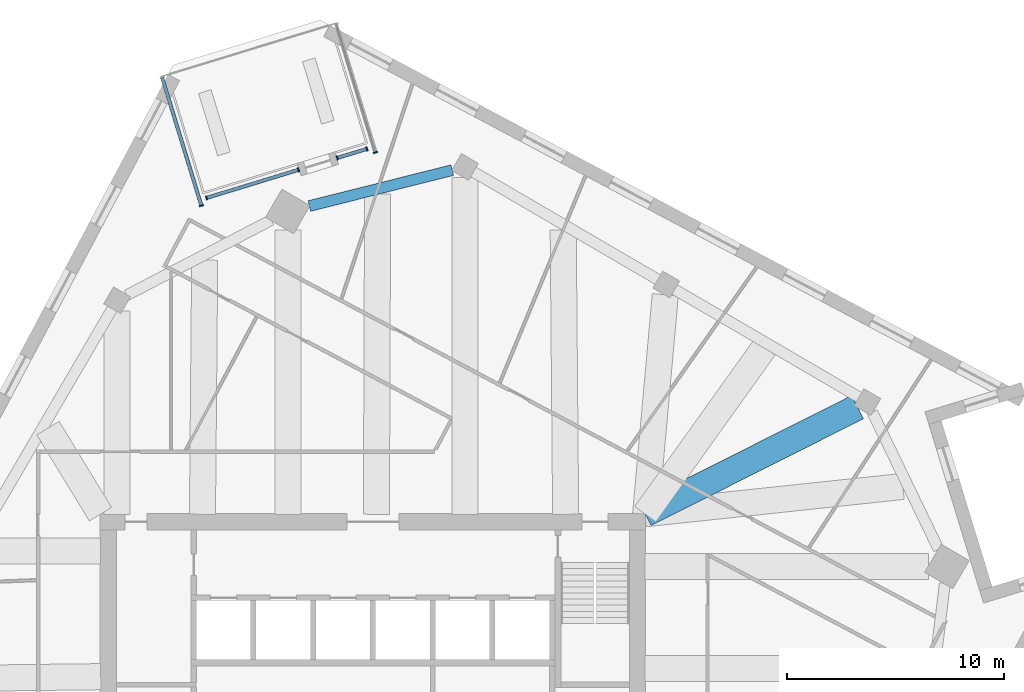
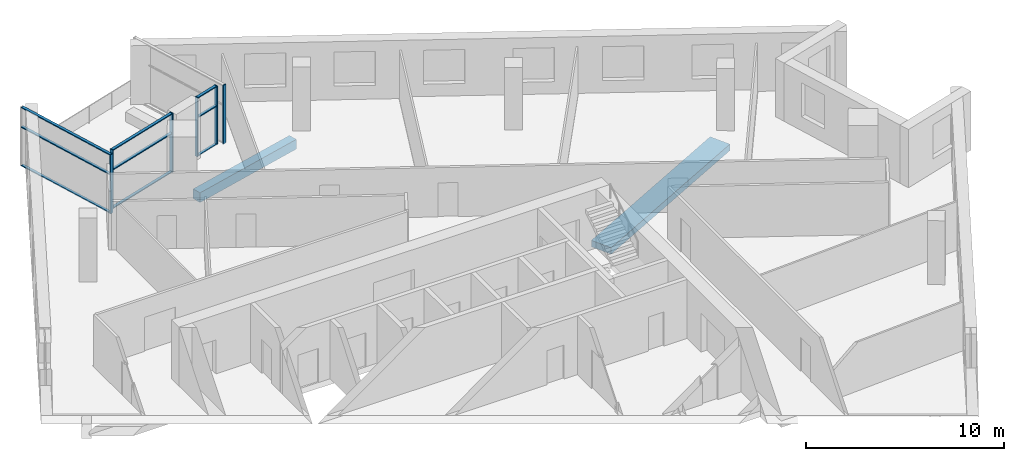
# One storey, part 2 of 13: 15 members, 2 beams, 4 elements without a shape of their own.
"""IFC4 building model written with IfcOpenShell, lengths in metres."""

from ifc_helpers import new_model, si_unit, direction, frame, origin, origin_2d, place, context, subcontext, project, spatial, rectangle, extrude, material, material_profile, profile_set, type_object, element, aggregate, save


model = new_model("IFC4")

# Units and contexts
model_context = context("Model", 3, precision=1e-05, world=origin(), true_north=direction((0.0, 1.0)))
body_context = subcontext(model_context, "Body", "Model", "MODEL_VIEW")
ifc_project = project(units=[si_unit("LENGTHUNIT", "METRE"), si_unit("AREAUNIT", "SQUARE_METRE"), si_unit("VOLUMEUNIT", "CUBIC_METRE"), si_unit("PLANEANGLEUNIT", "RADIAN"), si_unit("MASSUNIT", "GRAM", prefix="KILO")], contexts=[model_context])

# Site, building, storey
site_placement = place(None, origin())
site = spatial("IfcSite", under=ifc_project, at=site_placement, CompositionType="ELEMENT")
building_placement = place(site_placement, origin())
building = spatial("IfcBuilding", under=site, at=building_placement, Name="Dilmun Exchange Tower", CompositionType="ELEMENT")
storey_placement = place(building_placement, frame((0.0, 0.0, 278.89990234375)))
storey = spatial("IfcBuildingStorey", under=building, at=storey_placement, Name="L66", CompositionType="ELEMENT", Elevation=278.89990234375)

# Curtain wall, member
ifc_material_1 = material(Name="Anodised aluminium and clear glass", Category="aluminium")
curtain_wall_type = type_object("IfcCurtainWallType", Name="Garden corner glazing", PredefinedType="NOTDEFINED", material=ifc_material_1)
curtain_wall_1_placement = place(storey_placement, origin())
curtain_wall_1 = element("IfcCurtainWall", 1, at=curtain_wall_1_placement, inside=storey, type_object=curtain_wall_type, Name="Garden corner glazing run GC1.1", PredefinedType="NOTDEFINED")
ifc_material_2 = material(Name="Anodised aluminium", Category="aluminium")
ifc_material_profile_1 = material_profile(ifc_material_2, rectangle(XDim=0.199951171875, YDim=0.06005859375, at=origin_2d()), Name="AL 60x200")
ifc_profile_set_1 = profile_set([ifc_material_profile_1], Name="Anodised aluminium")
member_type_1 = type_object("IfcMemberType", Name="Garden corner glazing mullion 60 x 200", PredefinedType="MULLION", material=ifc_profile_set_1)
member_1_placement = place(storey_placement, frame((0.118896484375, 29.17578125, 0.0), z_axis=(0.0, 0.0, 1.0), x_axis=(0.956303960364, 0.292374306997, 0.0)))
member_1 = element("IfcMember", 2, at=member_1_placement, type_object=member_type_1, Name="GC1.1 mullion 2", PredefinedType="MULLION", context=body_context, shape_type="SweptSolid", body=[
    extrude(rectangle(XDim=0.199951171875, YDim=0.06005859375, at=origin_2d()), origin(), (0.0, 0.0, 1.0), 3.64013671875),
])
aggregate(curtain_wall_1, [member_1])

# Curtain wall, members
curtain_wall_2_placement = place(storey_placement, origin())
curtain_wall_2 = element("IfcCurtainWall", 3, at=curtain_wall_2_placement, inside=storey, type_object=curtain_wall_type, Name="Garden corner glazing run GC2.1", PredefinedType="NOTDEFINED")
member_2_placement = place(storey_placement, frame((-0.275634765625, 29.33740234375, 0.0), z_axis=(0.0, 0.0, 1.0), x_axis=(0.29239596952, -0.956297337133, 0.0)))
member_2 = element("IfcMember", 4, at=member_2_placement, type_object=member_type_1, Name="GC2.1 mullion 1", PredefinedType="MULLION", context=body_context, shape_type="SweptSolid", body=[
    extrude(rectangle(XDim=0.199951171875, YDim=0.06005859375, at=origin_2d()), origin(), (0.0, 0.0, 1.0), 3.64013671875),
])
member_3_placement = place(storey_placement, frame((-1.64208984375, 28.919677734375, 0.0), z_axis=(0.0, 0.0, 1.0), x_axis=(0.29239596952, -0.956297337133, 0.0)))
member_3 = element("IfcMember", 5, at=member_3_placement, type_object=member_type_1, Name="GC2.1 mullion 2", PredefinedType="MULLION", context=body_context, shape_type="SweptSolid", body=[
    extrude(rectangle(XDim=0.199951171875, YDim=0.06005859375, at=origin_2d()), origin(), (0.0, 0.0, 1.0), 3.64013671875),
])

curtain_wall_3_placement = place(storey_placement, origin())
curtain_wall_3 = element("IfcCurtainWall", 6, at=curtain_wall_3_placement, inside=storey, type_object=curtain_wall_type, Name="Garden corner glazing run GC2.3", PredefinedType="NOTDEFINED")
member_4_placement = place(storey_placement, frame((-3.4208984375, 28.375732421875, 0.0), z_axis=(0.0, 0.0, 1.0), x_axis=(0.292377563258, -0.956302964809, 0.0)))
member_4 = element("IfcMember", 7, at=member_4_placement, type_object=member_type_1, Name="GC2.3 mullion 1", PredefinedType="MULLION", context=body_context, shape_type="SweptSolid", body=[
    extrude(rectangle(XDim=0.199951171875, YDim=0.06005859375, at=origin_2d()), origin(), (0.0, 0.0, 1.0), 3.64013671875),
])
member_5_placement = place(storey_placement, frame((-7.656494140625, 27.080810546875, 0.0), z_axis=(0.0, 0.0, 1.0), x_axis=(0.292377563258, -0.956302964809, 0.0)))
member_5 = element("IfcMember", 8, at=member_5_placement, type_object=member_type_1, Name="GC2.3 mullion 2", PredefinedType="MULLION", context=body_context, shape_type="SweptSolid", body=[
    extrude(rectangle(XDim=0.199951171875, YDim=0.06005859375, at=origin_2d()), origin(), (0.0, 0.0, 1.0), 3.64013671875),
])

# Curtain wall, member
curtain_wall_4_placement = place(storey_placement, origin())
curtain_wall_4 = element("IfcCurtainWall", 9, at=curtain_wall_4_placement, inside=storey, type_object=curtain_wall_type, Name="Garden corner glazing run GC3.1", PredefinedType="NOTDEFINED")
member_6_placement = place(storey_placement, frame((-7.89306640625, 26.72607421875, 0.0), z_axis=(0.0, 0.0, 1.0), x_axis=(-0.956303960364, -0.292374306997, 0.0)))
member_6 = element("IfcMember", 10, at=member_6_placement, type_object=member_type_1, Name="GC3.1 mullion 1", PredefinedType="MULLION", context=body_context, shape_type="SweptSolid", body=[
    extrude(rectangle(XDim=0.199951171875, YDim=0.06005859375, at=origin_2d()), origin(), (0.0, 0.0, 1.0), 3.64013671875),
])

# Member
ifc_material_profile_2 = material_profile(ifc_material_2, rectangle(XDim=0.159912109375, YDim=0.06005859375, at=origin_2d()), Name="AL 60x160")
ifc_profile_set_2 = profile_set([ifc_material_profile_2], Name="Anodised aluminium")
member_type_2 = type_object("IfcMemberType", Name="Garden corner glazing transom 60 x 160", PredefinedType="USERDEFINED", material=ifc_profile_set_2)
member_7_placement = place(storey_placement, frame((-0.30419921875, 29.32861328125, 0.030029296875), z_axis=(-0.956286489319, -0.29243144555, 0.0), x_axis=(0.29243144555, -0.956286489319, 0.0)))
member_7 = element("IfcMember", 11, at=member_7_placement, type_object=member_type_2, Name="GC2.1 transom 1.1", ObjectType="TRANSOM", PredefinedType="USERDEFINED", context=body_context, shape_type="SweptSolid", body=[
    extrude(rectangle(XDim=0.159912109375, YDim=0.06005859375, at=origin_2d()), origin(), (0.0, 0.0, 1.0), 1.369140625),
])

member_8_placement = place(storey_placement, frame((-0.30419921875, 29.32861328125, 2.400146484375), z_axis=(-0.956286489319, -0.29243144555, 0.0), x_axis=(0.29243144555, -0.956286489319, 0.0)))
member_8 = element("IfcMember", 12, at=member_8_placement, type_object=member_type_2, Name="GC2.1 transom 1.2", ObjectType="TRANSOM", PredefinedType="USERDEFINED", context=body_context, shape_type="SweptSolid", body=[
    extrude(rectangle(XDim=0.159912109375, YDim=0.06005859375, at=origin_2d()), origin(), (0.0, 0.0, 1.0), 1.369140625),
])

member_9_placement = place(storey_placement, frame((-0.30419921875, 29.32861328125, 3.610107421875), z_axis=(-0.956286489319, -0.29243144555, 0.0), x_axis=(0.29243144555, -0.956286489319, 0.0)))
member_9 = element("IfcMember", 13, at=member_9_placement, type_object=member_type_2, Name="GC2.1 transom 1.3", ObjectType="TRANSOM", PredefinedType="USERDEFINED", context=body_context, shape_type="SweptSolid", body=[
    extrude(rectangle(XDim=0.159912109375, YDim=0.06005859375, at=origin_2d()), origin(), (0.0, 0.0, 1.0), 1.369140625),
])

aggregate(curtain_wall_2, [member_2, member_3, member_7, member_8, member_9])

member_10_placement = place(storey_placement, frame((-3.44970703125, 28.366943359375, 0.030029296875), z_axis=(-0.956309050487, -0.292357657599, 0.0), x_axis=(0.292357657599, -0.956309050487, 0.0)))
member_10 = element("IfcMember", 14, at=member_10_placement, type_object=member_type_2, Name="GC2.3 transom 1.1", ObjectType="TRANSOM", PredefinedType="USERDEFINED", context=body_context, shape_type="SweptSolid", body=[
    extrude(rectangle(XDim=0.159912109375, YDim=0.06005859375, at=origin_2d()), origin(), (0.0, 0.0, 1.0), 4.369140625),
])

member_11_placement = place(storey_placement, frame((-3.44970703125, 28.366943359375, 2.400146484375), z_axis=(-0.956309050487, -0.292357657599, 0.0), x_axis=(0.292357657599, -0.956309050487, 0.0)))
member_11 = element("IfcMember", 15, at=member_11_placement, type_object=member_type_2, Name="GC2.3 transom 1.2", ObjectType="TRANSOM", PredefinedType="USERDEFINED", context=body_context, shape_type="SweptSolid", body=[
    extrude(rectangle(XDim=0.159912109375, YDim=0.06005859375, at=origin_2d()), origin(), (0.0, 0.0, 1.0), 4.369140625),
])

member_12_placement = place(storey_placement, frame((-3.44970703125, 28.366943359375, 3.610107421875), z_axis=(-0.956309050487, -0.292357657599, 0.0), x_axis=(0.292357657599, -0.956309050487, 0.0)))
member_12 = element("IfcMember", 16, at=member_12_placement, type_object=member_type_2, Name="GC2.3 transom 1.3", ObjectType="TRANSOM", PredefinedType="USERDEFINED", context=body_context, shape_type="SweptSolid", body=[
    extrude(rectangle(XDim=0.159912109375, YDim=0.06005859375, at=origin_2d()), origin(), (0.0, 0.0, 1.0), 4.369140625),
])

aggregate(curtain_wall_3, [member_4, member_5, member_10, member_11, member_12])

member_13_placement = place(storey_placement, frame((-7.90185546875, 26.7548828125, 0.030029296875), z_axis=(-0.292385584046, 0.956300512518, 0.0), x_axis=(-0.956300512518, -0.292385584046, 0.0)))
member_13 = element("IfcMember", 17, at=member_13_placement, type_object=member_type_2, Name="GC3.1 transom 1.1", ObjectType="TRANSOM", PredefinedType="USERDEFINED", context=body_context, shape_type="SweptSolid", body=[
    extrude(rectangle(XDim=0.159912109375, YDim=0.06005859375, at=origin_2d()), origin(), (0.0, 0.0, 1.0), 6.12646484375),
])

member_14_placement = place(storey_placement, frame((-7.90185546875, 26.7548828125, 2.400146484375), z_axis=(-0.292385584046, 0.956300512518, 0.0), x_axis=(-0.956300512518, -0.292385584046, 0.0)))
member_14 = element("IfcMember", 18, at=member_14_placement, type_object=member_type_2, Name="GC3.1 transom 1.2", ObjectType="TRANSOM", PredefinedType="USERDEFINED", context=body_context, shape_type="SweptSolid", body=[
    extrude(rectangle(XDim=0.159912109375, YDim=0.06005859375, at=origin_2d()), origin(), (0.0, 0.0, 1.0), 6.12646484375),
])

member_15_placement = place(storey_placement, frame((-7.90185546875, 26.7548828125, 3.610107421875), z_axis=(-0.292385584046, 0.956300512518, 0.0), x_axis=(-0.956300512518, -0.292385584046, 0.0)))
member_15 = element("IfcMember", 19, at=member_15_placement, type_object=member_type_2, Name="GC3.1 transom 1.3", ObjectType="TRANSOM", PredefinedType="USERDEFINED", context=body_context, shape_type="SweptSolid", body=[
    extrude(rectangle(XDim=0.159912109375, YDim=0.06005859375, at=origin_2d()), origin(), (0.0, 0.0, 1.0), 6.12646484375),
])

aggregate(curtain_wall_4, [member_6, member_13, member_14, member_15])

# Beams
ifc_material_3 = material(Name="Concrete C40/50", Category="concrete")
ifc_material_profile_3 = material_profile(ifc_material_3, rectangle(XDim=1.199951171875, YDim=0.39990234375, at=origin_2d()), Name="1200 x 400")
ifc_profile_set_3 = profile_set([ifc_material_profile_3], Name="Concrete C40/50")
beam_type_1 = type_object("IfcBeamType", Name="RC band beam 1200 x 400 C40/50", PredefinedType="BEAM", material=ifc_profile_set_3)
beam_1_placement = place(storey_placement, frame((22.302734375, 17.453125, -0.659912109375), z_axis=(-0.893443377394, -0.449175835716, 0.0), x_axis=(0.449175835716, -0.893443377394, 0.0)))
element("IfcBeam", 20, at=beam_1_placement, inside=storey, type_object=beam_type_1, Name="Band beam 14", PredefinedType="BEAM", context=body_context, shape_type="SweptSolid", body=[
    extrude(rectangle(XDim=1.199951171875, YDim=0.39990234375, at=origin_2d()), origin(), (0.0, 0.0, 1.0), 10.94287109375),
])
ifc_material_profile_4 = material_profile(ifc_material_3, rectangle(XDim=0.5, YDim=0.60009765625, at=origin_2d()), Name="500 x 600")
ifc_profile_set_4 = profile_set([ifc_material_profile_4], Name="Concrete C40/50")
beam_type_2 = type_object("IfcBeamType", Name="RC ring beam 500 x 600 C40/50", PredefinedType="SPANDREL", material=ifc_profile_set_4)
beam_2_placement = place(storey_placement, frame((3.6552734375, 28.359130859375, -0.659912109375), z_axis=(-0.969853854997, -0.243687299522, 0.0), x_axis=(0.243687299522, -0.969853854997, 0.0)))
element("IfcBeam", 21, at=beam_2_placement, inside=storey, type_object=beam_type_2, Name="Ring beam 16", PredefinedType="SPANDREL", context=body_context, shape_type="SweptSolid", body=[
    extrude(rectangle(XDim=0.5, YDim=0.60009765625, at=origin_2d()), origin(), (0.0, 0.0, 1.0), 6.78271484375),
])

save(model, "model.ifc")
